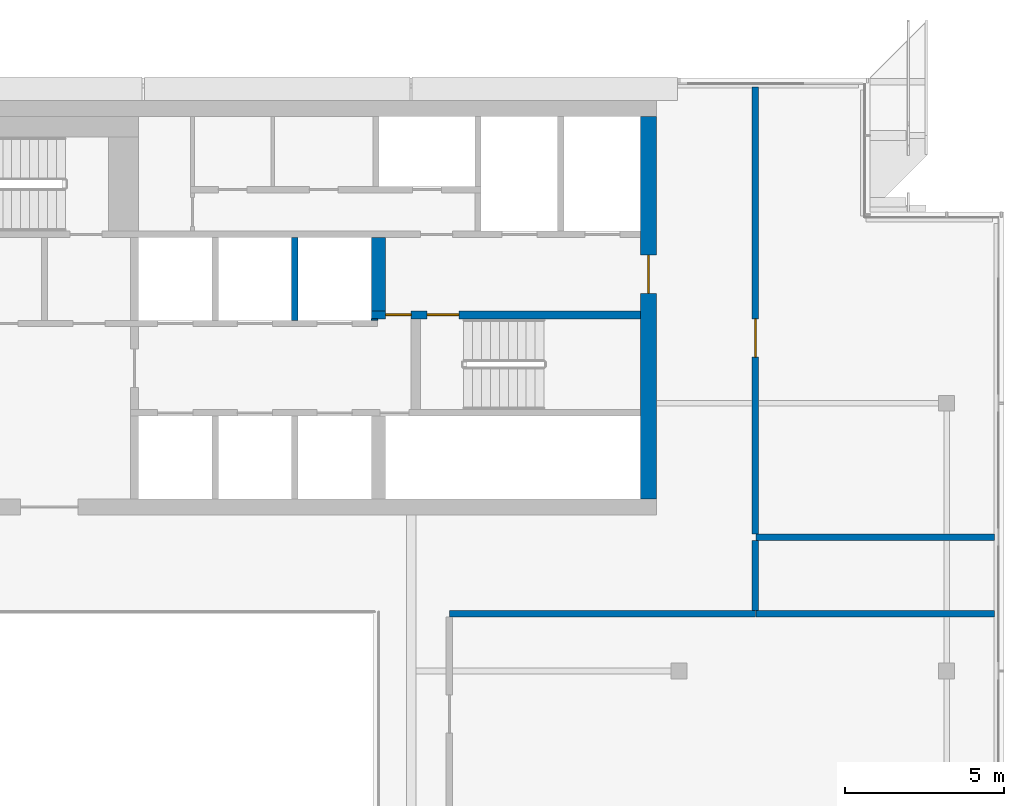
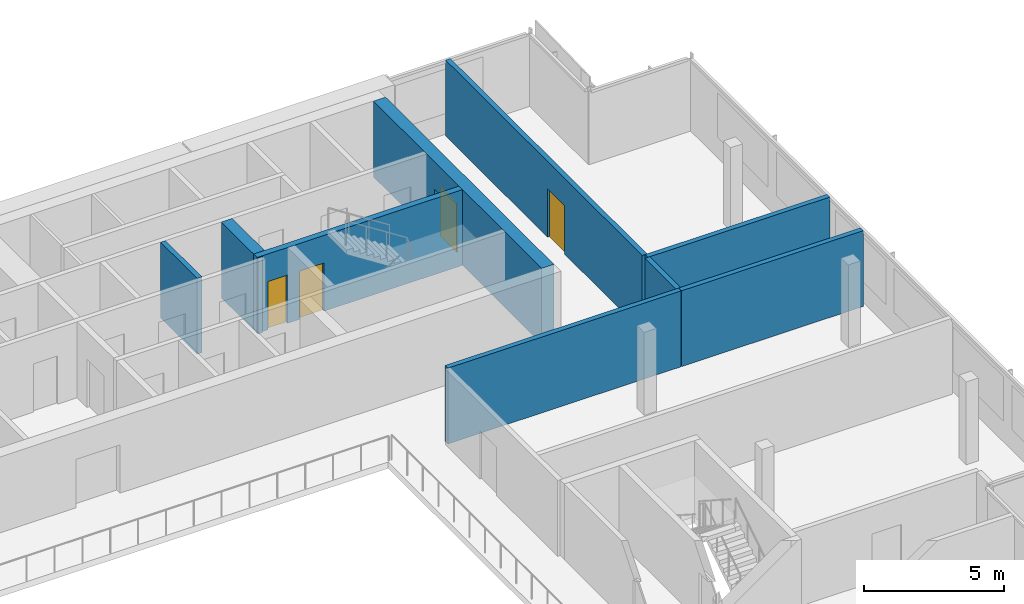
# One storey, part 14 of 19: 10 walls, 4 doors, 4 openings.
"""IFC4 building model written with IfcOpenShell, lengths in metres."""

from ifc_helpers import new_model, si_unit, direction, frame, frame_2d, origin, place, context, subcontext, project, spatial, rectangle, extrude, material, layer, layer_set, type_object, element, fill, save


model = new_model("IFC4")

# Units and contexts
model_context = context("Model", 3, precision=1e-05, world=origin(), true_north=direction((0.0, 1.0)))
body_context = subcontext(model_context, "Body", "Model", "MODEL_VIEW")
ifc_project = project(units=[si_unit("LENGTHUNIT", "METRE"), si_unit("AREAUNIT", "SQUARE_METRE"), si_unit("VOLUMEUNIT", "CUBIC_METRE"), si_unit("PLANEANGLEUNIT", "RADIAN"), si_unit("MASSUNIT", "GRAM", prefix="KILO")], contexts=[model_context])

# Site, building, storey
site_placement = place(None, origin())
site = spatial("IfcSite", under=ifc_project, at=site_placement, CompositionType="ELEMENT")
building_placement = place(site_placement, origin())
building = spatial("IfcBuilding", under=site, at=building_placement, Name="Saffron Gate Tower", CompositionType="ELEMENT")
storey_placement = place(building_placement, frame((0.0, 0.0, 306.75)))
storey = spatial("IfcBuildingStorey", under=building, at=storey_placement, Name="L75", CompositionType="ELEMENT", Elevation=306.75)

# Wall, opening, door
ifc_material_1 = material(Name="Concrete C50", Category="concrete")
ifc_layer_1 = layer(ifc_material_1, 0.5)
ifc_layer_set_1 = layer_set([ifc_layer_1], Name="CW22 RC core wall 500 C50")
wall_type_1 = type_object("IfcWallType", Name="CW22 RC core wall 500 C50", PredefinedType="SOLIDWALL", material=ifc_layer_set_1)
wall_1_placement = place(storey_placement, frame((107.64990234375, 62.39990234375, 0.0), z_axis=(0.0, 0.0, 1.0), x_axis=(0.0, 1.0, 0.0)))
wall_1 = element("IfcWall", 1, at=wall_1_placement, inside=storey, type_object=wall_type_1, Name="Wall CW22-L75-4", PredefinedType="SOLIDWALL", context=body_context, shape_type="SweptSolid", body=[
    extrude(rectangle(XDim=12.0, YDim=0.5, at=frame_2d((6.0, 0.0))), origin(), (0.0, 0.0, 1.0), 3.300048828125),
])
opening_1_placement = place(wall_1_placement, frame((6.449951171875, 0.0, 0.0)))
opening_1 = element("IfcOpeningElement", 2, at=opening_1_placement, cuts=wall_1, Name="Opening CR-08", PredefinedType="OPENING", context=body_context, shape_type="SweptSolid", body=[
    extrude(rectangle(XDim=1.199951171875, YDim=2.10009765625, at=frame_2d((0.60009765625, 1.050048828125))), frame((0.0, 0.260009765625, 0.0), z_axis=(0.0, -1.0, 0.0), x_axis=(1.0, 0.0, 0.0)), (0.0, 0.0, 1.0), 0.52001953125),
])
ifc_material_2 = material(Name="Steel fire door set", Category="steel")
door_type_1 = type_object("IfcDoorType", Name="CD7 Core entrance door 1200x2100 EI 120", OperationType="NOTDEFINED", PredefinedType="DOOR", material=ifc_material_2)
door_1_placement = place(opening_1_placement, origin())
door_1 = element("IfcDoor", 3, at=door_1_placement, inside=storey, type_object=door_type_1, Name="DOOR CR-08", OperationType="SINGLE_SWING_RIGHT", OverallHeight=2.10009765625, OverallWidth=1.199951171875, PredefinedType="DOOR", context=body_context, shape_type="SweptSolid", body=[
    extrude(rectangle(XDim=1.199951171875, YDim=2.10009765625, at=frame_2d((0.60009765625, 1.050048828125))), frame((0.0, 0.02490234375, 0.0), z_axis=(0.0, -1.0, 0.0), x_axis=(1.0, 0.0, 0.0)), (0.0, 0.0, 1.0), 0.050048828125),
])
fill(opening_1, door_1)

# Wall, openings, doors
ifc_layer_2 = layer(ifc_material_1, 0.25)
ifc_layer_set_2 = layer_set([ifc_layer_2], Name="CW23 RC core wall 250 C50")
wall_type_2 = type_object("IfcWallType", Name="CW23 RC core wall 250 C50", PredefinedType="SOLIDWALL", material=ifc_layer_set_2)
wall_2_placement = place(storey_placement, frame((98.949951171875, 68.175048828125, 0.0), z_axis=(0.0, 0.0, 1.0), x_axis=(1.0, 0.0, 0.0)))
wall_2 = element("IfcWall", 4, at=wall_2_placement, inside=storey, type_object=wall_type_2, Name="Wall CW23-L75-28", PredefinedType="SOLIDWALL", context=body_context, shape_type="SweptSolid", body=[
    extrude(rectangle(XDim=8.449951171875, YDim=0.25, at=frame_2d((4.22509765625, 0.0))), origin(), (0.0, 0.0, 1.0), 3.300048828125),
])
opening_2_placement = place(wall_2_placement, frame((0.449951171875, 0.0, 0.0)))
opening_2 = element("IfcOpeningElement", 5, at=opening_2_placement, cuts=wall_2, Name="Opening CR-05", PredefinedType="OPENING", context=body_context, shape_type="SweptSolid", body=[
    extrude(rectangle(XDim=0.800048828125, YDim=2.10009765625, at=frame_2d((0.39990234375, 1.050048828125))), frame((0.0, 0.135009765625, 0.0), z_axis=(0.0, -1.0, 0.0), x_axis=(1.0, 0.0, 0.0)), (0.0, 0.0, 1.0), 0.27001953125),
])
opening_3_placement = place(wall_2_placement, frame((1.75, 0.0, 0.0)))
opening_3 = element("IfcOpeningElement", 6, at=opening_3_placement, cuts=wall_2, Name="Opening CR-16", PredefinedType="OPENING", context=body_context, shape_type="SweptSolid", body=[
    extrude(rectangle(XDim=1.0, YDim=2.10009765625, at=frame_2d((0.5, 1.050048828125))), frame((0.0, 0.135009765625, 0.0), z_axis=(0.0, -1.0, 0.0), x_axis=(1.0, 0.0, 0.0)), (0.0, 0.0, 1.0), 0.27001953125),
])
door_type_2 = type_object("IfcDoorType", Name="CD5 Stair door 1000x2100 EI 120", OperationType="NOTDEFINED", PredefinedType="DOOR", material=ifc_material_2)
door_2_placement = place(opening_3_placement, origin())
door_2 = element("IfcDoor", 7, at=door_2_placement, inside=storey, type_object=door_type_2, Name="DOOR CR-16", OperationType="SINGLE_SWING_RIGHT", OverallHeight=2.10009765625, OverallWidth=1.0, PredefinedType="DOOR", context=body_context, shape_type="SweptSolid", body=[
    extrude(rectangle(XDim=1.0, YDim=2.10009765625, at=frame_2d((0.5, 1.050048828125))), frame((0.0, 0.02490234375, 0.0), z_axis=(0.0, -1.0, 0.0), x_axis=(1.0, 0.0, 0.0)), (0.0, 0.0, 1.0), 0.050048828125),
])
fill(opening_3, door_2)
door_type_3 = type_object("IfcDoorType", Name="CD6 Lobby door 800x2100 EI 120", OperationType="NOTDEFINED", PredefinedType="DOOR", material=ifc_material_2)
door_3_placement = place(opening_2_placement, origin())
door_3 = element("IfcDoor", 8, at=door_3_placement, inside=storey, type_object=door_type_3, Name="DOOR CR-05", OperationType="SINGLE_SWING_LEFT", OverallHeight=2.10009765625, OverallWidth=0.800048828125, PredefinedType="DOOR", context=body_context, shape_type="SweptSolid", body=[
    extrude(rectangle(XDim=0.800048828125, YDim=2.10009765625, at=frame_2d((0.39990234375, 1.050048828125))), frame((0.0, 0.02490234375, 0.0), z_axis=(0.0, -1.0, 0.0), x_axis=(1.0, 0.0, 0.0)), (0.0, 0.0, 1.0), 0.050048828125),
])
fill(opening_2, door_3)

# Walls
ifc_layer_3 = layer(ifc_material_1, 0.449951171875)
ifc_layer_set_3 = layer_set([ifc_layer_3], Name="CW24 RC core wall 450 C50")
wall_type_3 = type_object("IfcWallType", Name="CW24 RC core wall 450 C50", PredefinedType="SOLIDWALL", material=ifc_layer_set_3)
wall_3_placement = place(storey_placement, frame((99.175048828125, 68.300048828125, 0.0), z_axis=(0.0, 0.0, 1.0), x_axis=(0.0, 1.0, 0.0)))
element("IfcWall", 9, at=wall_3_placement, inside=storey, type_object=wall_type_3, Name="Wall CW24-L75-30", PredefinedType="SOLIDWALL", context=body_context, shape_type="SweptSolid", body=[
    extrude(rectangle(XDim=2.300048828125, YDim=0.449951171875, at=frame_2d((1.14990234375, 0.0))), origin(), (0.0, 0.0, 1.0), 3.300048828125),
])
ifc_layer_4 = layer(ifc_material_1, 0.199951171875)
ifc_layer_set_4 = layer_set([ifc_layer_4], Name="CW25 RC core wall 200 C50")
wall_type_4 = type_object("IfcWallType", Name="CW25 RC core wall 200 C50", PredefinedType="SOLIDWALL", material=ifc_layer_set_4)
wall_4_placement = place(storey_placement, frame((96.550048828125, 68.0, 0.0), z_axis=(0.0, 0.0, 1.0), x_axis=(0.0, 1.0, 0.0)))
element("IfcWall", 10, at=wall_4_placement, inside=storey, type_object=wall_type_4, Name="Wall CW25-L75-25", PredefinedType="SOLIDWALL", context=body_context, shape_type="SweptSolid", body=[
    extrude(rectangle(XDim=2.60009765625, YDim=0.199951171875, at=frame_2d((1.300048828125, 0.0))), origin(), (0.0, 0.0, 1.0), 3.300048828125),
])
ifc_layer_5 = layer(ifc_material_1, 0.050048828125)
ifc_layer_set_5 = layer_set([ifc_layer_5], Name="CW27 RC core wall 50 C50")
wall_type_5 = type_object("IfcWallType", Name="CW27 RC core wall 50 C50", PredefinedType="SOLIDWALL", material=ifc_layer_set_5)
wall_5_placement = place(storey_placement, frame((98.949951171875, 68.02490234375, 0.0), z_axis=(0.0, 0.0, 1.0), x_axis=(1.0, 0.0, 0.0)))
element("IfcWall", 11, at=wall_5_placement, inside=storey, type_object=wall_type_5, Name="Wall CW27-L75-26", PredefinedType="SOLIDWALL", context=body_context, shape_type="SweptSolid", body=[
    extrude(rectangle(XDim=0.199951171875, YDim=0.050048828125, at=frame_2d((0.10009765625, 0.0))), origin(), (0.0, 0.0, 1.0), 3.300048828125),
])
ifc_material_3 = material(Name="Clay brick masonry, rendered", Category="masonry")
ifc_layer_6 = layer(ifc_material_3, 0.199951171875)
ifc_layer_set_6 = layer_set([ifc_layer_6], Name="PW3 Corridor wall 200")
wall_type_6 = type_object("IfcWallType", Name="PW3 Corridor wall 200", PredefinedType="PARTITIONING", material=ifc_layer_set_6)
wall_6_placement = place(storey_placement, frame((101.39990234375, 58.800048828125, 0.0), z_axis=(0.0, 0.0, 1.0), x_axis=(1.0, 0.0, 0.0)))
element("IfcWall", 12, at=wall_6_placement, inside=storey, type_object=wall_type_6, Name="Wall E6-9", PredefinedType="PARTITIONING", context=body_context, shape_type="SweptSolid", body=[
    extrude(rectangle(XDim=9.60009765625, YDim=0.199951171875, at=frame_2d((4.800048828125, 0.0))), origin(), (0.0, 0.0, 1.0), 3.300048828125),
])

# Wall, opening, door
wall_7_placement = place(storey_placement, frame((111.0, 75.320068359375, 0.0), z_axis=(0.0, 0.0, 1.0), x_axis=(0.0, -1.0, 0.0)))
wall_7 = element("IfcWall", 13, at=wall_7_placement, inside=storey, type_object=wall_type_6, Name="Wall E6-21", PredefinedType="PARTITIONING", context=body_context, shape_type="SweptSolid", body=[
    extrude(rectangle(XDim=14.02001953125, YDim=0.199951171875, at=frame_2d((7.010009765625, 0.0))), origin(), (0.0, 0.0, 1.0), 3.300048828125),
])
opening_4_placement = place(wall_7_placement, frame((7.270263671875, 0.0, 0.0)))
opening_4 = element("IfcOpeningElement", 14, at=opening_4_placement, cuts=wall_7, Name="Opening E6-1", PredefinedType="OPENING", context=body_context, shape_type="SweptSolid", body=[
    extrude(rectangle(XDim=1.199951171875, YDim=2.10009765625, at=frame_2d((0.60009765625, 1.050048828125))), frame((0.0, 0.10986328125, 0.0), z_axis=(0.0, -1.0, 0.0), x_axis=(1.0, 0.0, 0.0)), (0.0, 0.0, 1.0), 0.219970703125),
])
ifc_material_4 = material(Name="Timber door set", Category="wood")
door_type_4 = type_object("IfcDoorType", Name="HD1 Hall door 1200x2100", OperationType="NOTDEFINED", PredefinedType="DOOR", material=ifc_material_4)
door_4_placement = place(opening_4_placement, origin())
door_4 = element("IfcDoor", 15, at=door_4_placement, inside=storey, type_object=door_type_4, Name="Door E6-1", OperationType="SINGLE_SWING_RIGHT", OverallHeight=2.10009765625, OverallWidth=1.199951171875, PredefinedType="DOOR", context=body_context, shape_type="SweptSolid", body=[
    extrude(rectangle(XDim=1.199951171875, YDim=2.10009765625, at=frame_2d((0.60009765625, 1.050048828125))), frame((0.0, 0.02490234375, 0.0), z_axis=(0.0, -1.0, 0.0), x_axis=(1.0, 0.0, 0.0)), (0.0, 0.0, 1.0), 0.050048828125),
])
fill(opening_4, door_4)

# Walls
ifc_layer_7 = layer(ifc_material_3, 0.199951171875)
ifc_layer_set_7 = layer_set([ifc_layer_7], Name="PW5 Room wall 200")
wall_type_7 = type_object("IfcWallType", Name="PW5 Room wall 200", PredefinedType="PARTITIONING", material=ifc_layer_set_7)
for number, where, z_axis, x_axis, name in (
    (16, (111.02001953125, 58.800048828125, 0.0), (0.0, 0.0, 1.0), (1.0, 0.0, 0.0), "Wall E6-11"),
    (17, (111.02001953125, 61.199951171875, 0.0), (0.0, 0.0, 1.0), (1.0, 0.0, 0.0), "Wall E6-13"),
):
    element("IfcWall", number, at=place(storey_placement, frame(where, z_axis=z_axis, x_axis=x_axis)), inside=storey, type_object=wall_type_7, Name=name, PredefinedType="PARTITIONING", context=body_context, shape_type="SweptSolid", body=[
        extrude(rectangle(XDim=7.47998046875, YDim=0.199951171875, at=frame_2d((3.739990234375, 0.0))), origin(), (0.0, 0.0, 1.0), 3.300048828125),
    ])
wall_8_placement = place(storey_placement, frame((111.0, 61.10009765625, 0.0), z_axis=(0.0, 0.0, 1.0), x_axis=(0.0, -1.0, 0.0)))
element("IfcWall", 18, at=wall_8_placement, inside=storey, type_object=wall_type_7, Name="Wall E6-22", PredefinedType="PARTITIONING", context=body_context, shape_type="SweptSolid", body=[
    extrude(rectangle(XDim=2.2001953125, YDim=0.199951171875, at=frame_2d((1.10009765625, 0.0))), origin(), (0.0, 0.0, 1.0), 3.300048828125),
])

save(model, "model.ifc")
